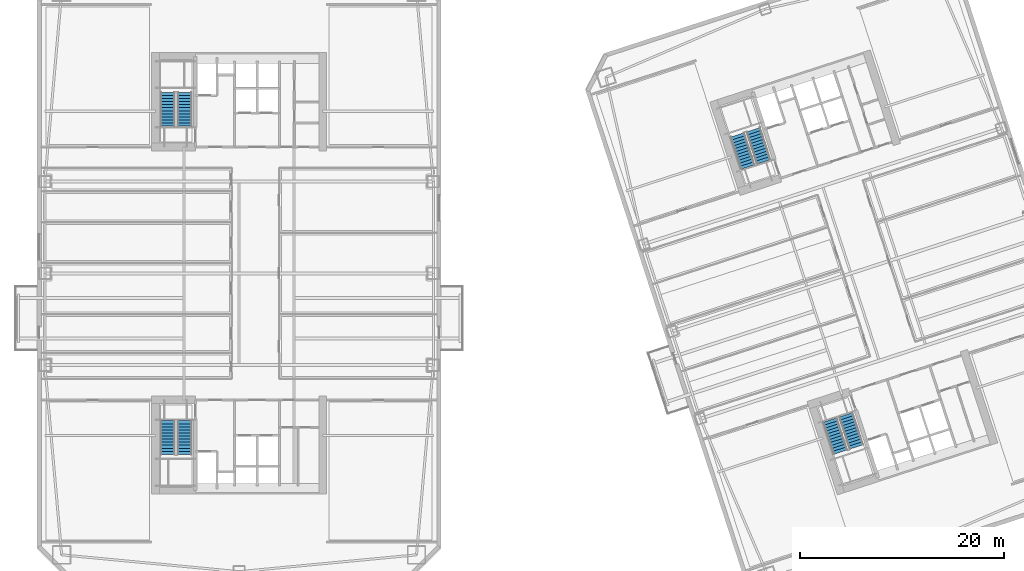
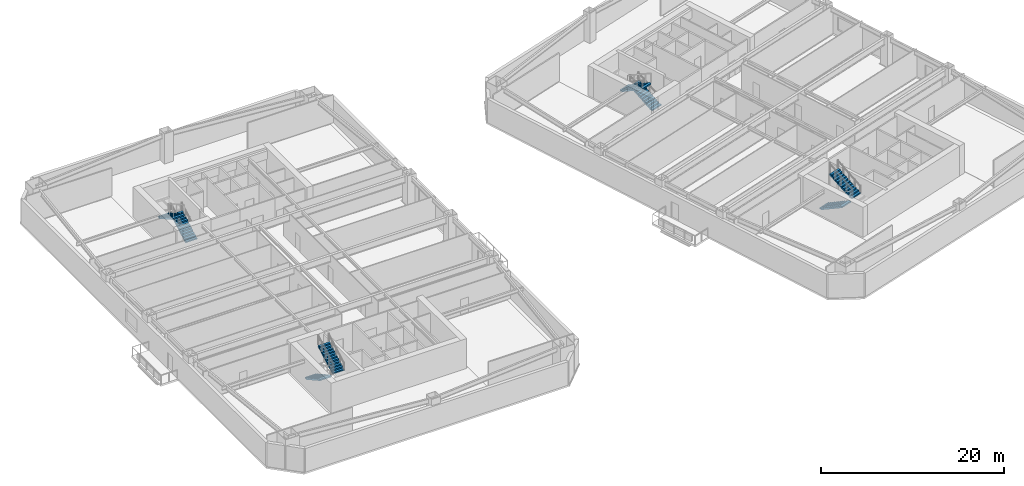
# One storey, part 10 of 18: 8 stair flights, 4 elements without a shape of their own.
"""IFC4 building model written with IfcOpenShell, lengths in metres."""

from ifc_helpers import new_model, si_unit, direction, frame, origin, place, context, subcontext, project, spatial, polyline, outline, extrude, material, type_object, element, aggregate, save


model = new_model("IFC4")

# Units and contexts
model_context = context("Model", 3, precision=1e-05, world=origin(), true_north=direction((0.0, 1.0)))
body_context = subcontext(model_context, "Body", "Model", "MODEL_VIEW")
ifc_project = project(units=[si_unit("LENGTHUNIT", "METRE"), si_unit("AREAUNIT", "SQUARE_METRE"), si_unit("VOLUMEUNIT", "CUBIC_METRE"), si_unit("PLANEANGLEUNIT", "RADIAN"), si_unit("MASSUNIT", "GRAM", prefix="KILO")], contexts=[model_context])

# Site, building, storey
site_placement = place(None, origin())
site = spatial("IfcSite", under=ifc_project, at=site_placement, CompositionType="ELEMENT")
building_placement = place(site_placement, origin())
building = spatial("IfcBuilding", under=site, at=building_placement, Name="Qiaolan Cultural Towers", CompositionType="ELEMENT")
storey_placement = place(building_placement, frame((0.0, 0.0, 38.0)))
storey = spatial("IfcBuildingStorey", under=building, at=storey_placement, Name="L08", CompositionType="ELEMENT", Elevation=38.0)

# Stair, stair flights
ifc_material_1 = material(Name="Concrete C45", Category="concrete")
stair_type = type_object("IfcStairType", Name="STR-CORE-1500", PredefinedType="HALF_TURN_STAIR", material=ifc_material_1)
stair_1_placement = place(storey_placement, origin())
stair_1 = element("IfcStair", 1, at=stair_1_placement, inside=storey, type_object=stair_type, Name="L08 Smokeproof Exit Stair ST-W1", PredefinedType="HALF_TURN_STAIR")
ifc_material_2 = material(Name="Concrete C45", Category="concrete")
stair_flight_type = type_object("IfcStairFlightType", Name="STR-CORE-1500-FL", PredefinedType="STRAIGHT", material=ifc_material_2)
stair_flight_1_placement = place(storey_placement, frame((23.02001953125, 19.550048828125, 0.0), z_axis=(0.0, 0.0, 1.0), x_axis=(0.0, -1.0, 0.0)))
stair_flight_1 = element("IfcStairFlight", 2, at=stair_flight_1_placement, type_object=stair_flight_type, Name="ST-W1 flight 1", NumberOfRisers=12, NumberOfTreads=11, PredefinedType="STRAIGHT", RiserHeight=0.166666667, TreadLength=0.3, context=body_context, shape_type="SweptSolid", body=[
    extrude(outline(polyline([(0.0, 0.0), (0.0, 0.166748046875), (0.300048828125, 0.166748046875), (0.300048828125, 0.333251953125), (0.60009765625, 0.333251953125), (0.60009765625, 0.5), (0.89990234375, 0.5), (0.89990234375, 0.666748046875), (1.199951171875, 0.666748046875), (1.199951171875, 0.833251953125), (1.5, 0.833251953125), (1.5, 1.0), (1.800048828125, 1.0), (1.800048828125, 1.166748046875), (2.10009765625, 1.166748046875), (2.10009765625, 1.333251953125), (2.39990234375, 1.333251953125), (2.39990234375, 1.5), (2.699951171875, 1.5), (2.699951171875, 1.666748046875), (3.0, 1.666748046875), (3.0, 1.833251953125), (3.300048828125, 1.833251953125), (3.300048828125, 2.0), (3.300048828125, 1.661865234375), (0.30859375, 0.0), (0.0, 0.0)])), frame((0.0, 0.719970703125, 0.0), z_axis=(0.0, -1.0, 0.0), x_axis=(1.0, 0.0, 0.0)), (0.0, 0.0, 1.0), 1.43994140625),
])
stair_flight_2_placement = place(storey_placement, frame((24.659912109375, 16.25, 2.0), z_axis=(0.0, 0.0, 1.0), x_axis=(0.0, 1.0, 0.0)))
stair_flight_2 = element("IfcStairFlight", 3, at=stair_flight_2_placement, type_object=stair_flight_type, Name="ST-W1 flight 2", NumberOfRisers=12, NumberOfTreads=11, PredefinedType="STRAIGHT", RiserHeight=0.166666667, TreadLength=0.3, context=body_context, shape_type="SweptSolid", body=[
    extrude(outline(polyline([(0.0, 0.0), (0.0, 0.166748046875), (0.300048828125, 0.166748046875), (0.300048828125, 0.333251953125), (0.60009765625, 0.333251953125), (0.60009765625, 0.5), (0.89990234375, 0.5), (0.89990234375, 0.666748046875), (1.199951171875, 0.666748046875), (1.199951171875, 0.833251953125), (1.5, 0.833251953125), (1.5, 1.0), (1.800048828125, 1.0), (1.800048828125, 1.166748046875), (2.10009765625, 1.166748046875), (2.10009765625, 1.333251953125), (2.39990234375, 1.333251953125), (2.39990234375, 1.5), (2.699951171875, 1.5), (2.699951171875, 1.666748046875), (3.0, 1.666748046875), (3.0, 1.833251953125), (3.300048828125, 1.833251953125), (3.300048828125, 2.0), (3.300048828125, 1.661865234375), (0.30859375, 0.0), (0.0, 0.0)])), frame((0.0, 0.719970703125, 0.0), z_axis=(0.0, -1.0, 0.0), x_axis=(1.0, 0.0, 0.0)), (0.0, 0.0, 1.0), 1.43994140625),
])
aggregate(stair_1, [stair_flight_1, stair_flight_2])

stair_2_placement = place(storey_placement, origin())
stair_2 = element("IfcStair", 4, at=stair_2_placement, inside=storey, type_object=stair_type, Name="L08 Smokeproof Exit Stair ST-W2", PredefinedType="HALF_TURN_STAIR")
stair_flight_3_placement = place(storey_placement, frame((24.659912109375, 48.449951171875, 0.0), z_axis=(0.0, 0.0, 1.0), x_axis=(0.0, 1.0, 0.0)))
stair_flight_3 = element("IfcStairFlight", 5, at=stair_flight_3_placement, type_object=stair_flight_type, Name="ST-W2 flight 1", NumberOfRisers=12, NumberOfTreads=11, PredefinedType="STRAIGHT", RiserHeight=0.166666667, TreadLength=0.3, context=body_context, shape_type="SweptSolid", body=[
    extrude(outline(polyline([(0.0, 0.0), (0.0, 0.166748046875), (0.300048828125, 0.166748046875), (0.300048828125, 0.333251953125), (0.60009765625, 0.333251953125), (0.60009765625, 0.5), (0.89990234375, 0.5), (0.89990234375, 0.666748046875), (1.199951171875, 0.666748046875), (1.199951171875, 0.833251953125), (1.5, 0.833251953125), (1.5, 1.0), (1.800048828125, 1.0), (1.800048828125, 1.166748046875), (2.10009765625, 1.166748046875), (2.10009765625, 1.333251953125), (2.39990234375, 1.333251953125), (2.39990234375, 1.5), (2.699951171875, 1.5), (2.699951171875, 1.666748046875), (3.0, 1.666748046875), (3.0, 1.833251953125), (3.300048828125, 1.833251953125), (3.300048828125, 2.0), (3.300048828125, 1.661865234375), (0.30859375, 0.0), (0.0, 0.0)])), frame((0.0, 0.719970703125, 0.0), z_axis=(0.0, -1.0, 0.0), x_axis=(1.0, 0.0, 0.0)), (0.0, 0.0, 1.0), 1.43994140625),
])
stair_flight_4_placement = place(storey_placement, frame((23.02001953125, 51.75, 2.0), z_axis=(0.0, 0.0, 1.0), x_axis=(0.0, -1.0, 0.0)))
stair_flight_4 = element("IfcStairFlight", 6, at=stair_flight_4_placement, type_object=stair_flight_type, Name="ST-W2 flight 2", NumberOfRisers=12, NumberOfTreads=11, PredefinedType="STRAIGHT", RiserHeight=0.166666667, TreadLength=0.3, context=body_context, shape_type="SweptSolid", body=[
    extrude(outline(polyline([(0.0, 0.0), (0.0, 0.166748046875), (0.300048828125, 0.166748046875), (0.300048828125, 0.333251953125), (0.60009765625, 0.333251953125), (0.60009765625, 0.5), (0.89990234375, 0.5), (0.89990234375, 0.666748046875), (1.199951171875, 0.666748046875), (1.199951171875, 0.833251953125), (1.5, 0.833251953125), (1.5, 1.0), (1.800048828125, 1.0), (1.800048828125, 1.166748046875), (2.10009765625, 1.166748046875), (2.10009765625, 1.333251953125), (2.39990234375, 1.333251953125), (2.39990234375, 1.5), (2.699951171875, 1.5), (2.699951171875, 1.666748046875), (3.0, 1.666748046875), (3.0, 1.833251953125), (3.300048828125, 1.833251953125), (3.300048828125, 2.0), (3.300048828125, 1.661865234375), (0.30859375, 0.0), (0.0, 0.0)])), frame((0.0, 0.719970703125, 0.0), z_axis=(0.0, -1.0, 0.0), x_axis=(1.0, 0.0, 0.0)), (0.0, 0.0, 1.0), 1.43994140625),
])
aggregate(stair_2, [stair_flight_3, stair_flight_4])

stair_3_placement = place(storey_placement, origin())
stair_3 = element("IfcStair", 7, at=stair_3_placement, inside=storey, type_object=stair_type, Name="L08 Smokeproof Exit Stair ST-E1", PredefinedType="HALF_TURN_STAIR")
stair_flight_5_placement = place(storey_placement, frame((87.96484375, 19.6171875, 0.0), z_axis=(0.0, 0.0, 1.0), x_axis=(0.309016994375, -0.951056516295, 0.0)))
stair_flight_5 = element("IfcStairFlight", 8, at=stair_flight_5_placement, type_object=stair_flight_type, Name="ST-E1 flight 1", NumberOfRisers=12, NumberOfTreads=11, PredefinedType="STRAIGHT", RiserHeight=0.166666667, TreadLength=0.3, context=body_context, shape_type="SweptSolid", body=[
    extrude(outline(polyline([(0.0, 0.0), (0.0, 0.166748046875), (0.300048828125, 0.166748046875), (0.300048828125, 0.333251953125), (0.60009765625, 0.333251953125), (0.60009765625, 0.5), (0.89990234375, 0.5), (0.89990234375, 0.666748046875), (1.199951171875, 0.666748046875), (1.199951171875, 0.833251953125), (1.5, 0.833251953125), (1.5, 1.0), (1.800048828125, 1.0), (1.800048828125, 1.166748046875), (2.10009765625, 1.166748046875), (2.10009765625, 1.333251953125), (2.39990234375, 1.333251953125), (2.39990234375, 1.5), (2.699951171875, 1.5), (2.699951171875, 1.666748046875), (3.0, 1.666748046875), (3.0, 1.833251953125), (3.300048828125, 1.833251953125), (3.300048828125, 2.0), (3.300048828125, 1.661865234375), (0.30859375, 0.0), (0.0, 0.0)])), frame((0.0, 0.719970703125, 0.0), z_axis=(0.0, -1.0, 0.0), x_axis=(1.0, 0.0, 0.0)), (0.0, 0.0, 1.0), 1.43994140625),
])
stair_flight_6_placement = place(storey_placement, frame((90.54443359375, 16.985595703125, 2.0), z_axis=(0.0, 0.0, 1.0), x_axis=(-0.309016994375, 0.951056516295, 0.0)))
stair_flight_6 = element("IfcStairFlight", 9, at=stair_flight_6_placement, type_object=stair_flight_type, Name="ST-E1 flight 2", NumberOfRisers=12, NumberOfTreads=11, PredefinedType="STRAIGHT", RiserHeight=0.166666667, TreadLength=0.3, context=body_context, shape_type="SweptSolid", body=[
    extrude(outline(polyline([(0.0, 0.0), (0.0, 0.166748046875), (0.300048828125, 0.166748046875), (0.300048828125, 0.333251953125), (0.60009765625, 0.333251953125), (0.60009765625, 0.5), (0.89990234375, 0.5), (0.89990234375, 0.666748046875), (1.199951171875, 0.666748046875), (1.199951171875, 0.833251953125), (1.5, 0.833251953125), (1.5, 1.0), (1.800048828125, 1.0), (1.800048828125, 1.166748046875), (2.10009765625, 1.166748046875), (2.10009765625, 1.333251953125), (2.39990234375, 1.333251953125), (2.39990234375, 1.5), (2.699951171875, 1.5), (2.699951171875, 1.666748046875), (3.0, 1.666748046875), (3.0, 1.833251953125), (3.300048828125, 1.833251953125), (3.300048828125, 2.0), (3.300048828125, 1.661865234375), (0.30859375, 0.0), (0.0, 0.0)])), frame((0.0, 0.719970703125, 0.0), z_axis=(0.0, -1.0, 0.0), x_axis=(1.0, 0.0, 0.0)), (0.0, 0.0, 1.0), 1.43994140625),
])
aggregate(stair_3, [stair_flight_5, stair_flight_6])

stair_4_placement = place(storey_placement, origin())
stair_4 = element("IfcStair", 10, at=stair_4_placement, inside=storey, type_object=stair_type, Name="L08 Smokeproof Exit Stair ST-E2", PredefinedType="HALF_TURN_STAIR")
stair_flight_7_placement = place(storey_placement, frame((81.459228515625, 44.946533203125, 0.0), z_axis=(0.0, 0.0, 1.0), x_axis=(-0.309016994375, 0.951056516295, 0.0)))
stair_flight_7 = element("IfcStairFlight", 11, at=stair_flight_7_placement, type_object=stair_flight_type, Name="ST-E2 flight 1", NumberOfRisers=12, NumberOfTreads=11, PredefinedType="STRAIGHT", RiserHeight=0.166666667, TreadLength=0.3, context=body_context, shape_type="SweptSolid", body=[
    extrude(outline(polyline([(0.0, 0.0), (0.0, 0.166748046875), (0.300048828125, 0.166748046875), (0.300048828125, 0.333251953125), (0.60009765625, 0.333251953125), (0.60009765625, 0.5), (0.89990234375, 0.5), (0.89990234375, 0.666748046875), (1.199951171875, 0.666748046875), (1.199951171875, 0.833251953125), (1.5, 0.833251953125), (1.5, 1.0), (1.800048828125, 1.0), (1.800048828125, 1.166748046875), (2.10009765625, 1.166748046875), (2.10009765625, 1.333251953125), (2.39990234375, 1.333251953125), (2.39990234375, 1.5), (2.699951171875, 1.5), (2.699951171875, 1.666748046875), (3.0, 1.666748046875), (3.0, 1.833251953125), (3.300048828125, 1.833251953125), (3.300048828125, 2.0), (3.300048828125, 1.661865234375), (0.30859375, 0.0), (0.0, 0.0)])), frame((0.0, 0.719970703125, 0.0), z_axis=(0.0, -1.0, 0.0), x_axis=(1.0, 0.0, 0.0)), (0.0, 0.0, 1.0), 1.43994140625),
])
stair_flight_8_placement = place(storey_placement, frame((78.8798828125, 47.578125, 2.0), z_axis=(0.0, 0.0, 1.0), x_axis=(0.309016994375, -0.951056516295, 0.0)))
stair_flight_8 = element("IfcStairFlight", 12, at=stair_flight_8_placement, type_object=stair_flight_type, Name="ST-E2 flight 2", NumberOfRisers=12, NumberOfTreads=11, PredefinedType="STRAIGHT", RiserHeight=0.166666667, TreadLength=0.3, context=body_context, shape_type="SweptSolid", body=[
    extrude(outline(polyline([(0.0, 0.0), (0.0, 0.166748046875), (0.300048828125, 0.166748046875), (0.300048828125, 0.333251953125), (0.60009765625, 0.333251953125), (0.60009765625, 0.5), (0.89990234375, 0.5), (0.89990234375, 0.666748046875), (1.199951171875, 0.666748046875), (1.199951171875, 0.833251953125), (1.5, 0.833251953125), (1.5, 1.0), (1.800048828125, 1.0), (1.800048828125, 1.166748046875), (2.10009765625, 1.166748046875), (2.10009765625, 1.333251953125), (2.39990234375, 1.333251953125), (2.39990234375, 1.5), (2.699951171875, 1.5), (2.699951171875, 1.666748046875), (3.0, 1.666748046875), (3.0, 1.833251953125), (3.300048828125, 1.833251953125), (3.300048828125, 2.0), (3.300048828125, 1.661865234375), (0.30859375, 0.0), (0.0, 0.0)])), frame((0.0, 0.719970703125, 0.0), z_axis=(0.0, -1.0, 0.0), x_axis=(1.0, 0.0, 0.0)), (0.0, 0.0, 1.0), 1.43994140625),
])
aggregate(stair_4, [stair_flight_7, stair_flight_8])

save(model, "model.ifc")
